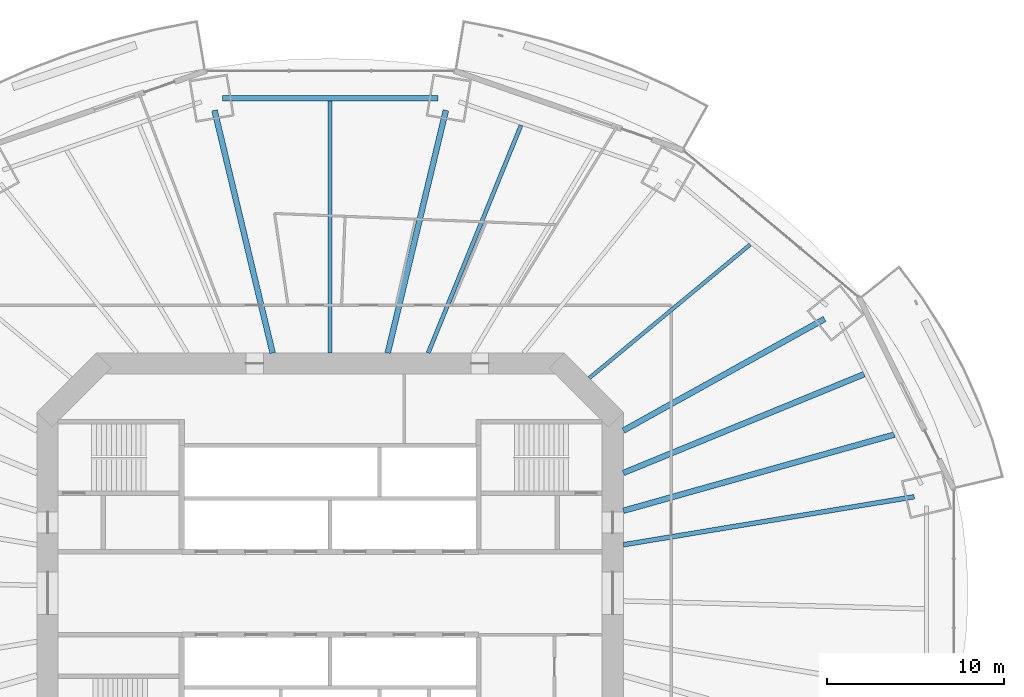
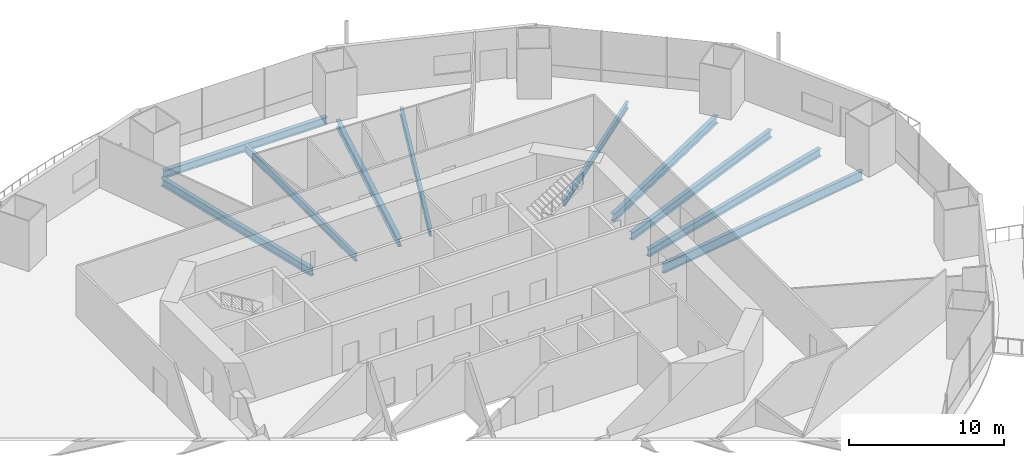
# One storey, part 8 of 23: 10 beams.
"""IFC4 building model written with IfcOpenShell, lengths in metres."""

from ifc_helpers import new_model, si_unit, direction, frame, origin, origin_2d, place, context, subcontext, project, spatial, i_section, extrude, material, material_profile, profile_set, type_object, element, save


model = new_model("IFC4")

# Units and contexts
model_context = context("Model", 3, precision=1e-05, world=origin(), true_north=direction((0.0, 1.0)))
body_context = subcontext(model_context, "Body", "Model", "MODEL_VIEW")
ifc_project = project(units=[si_unit("LENGTHUNIT", "METRE"), si_unit("AREAUNIT", "SQUARE_METRE"), si_unit("VOLUMEUNIT", "CUBIC_METRE"), si_unit("PLANEANGLEUNIT", "RADIAN"), si_unit("MASSUNIT", "GRAM", prefix="KILO")], contexts=[model_context])

# Site, building, storey
site_placement = place(None, origin())
site = spatial("IfcSite", under=ifc_project, at=site_placement, CompositionType="ELEMENT")
building_placement = place(site_placement, origin())
building = spatial("IfcBuilding", under=site, at=building_placement, Name="Marenthal Gate Tower", CompositionType="ELEMENT")
storey_placement = place(building_placement, frame((0.0, 0.0, 57.89990234375)))
storey = spatial("IfcBuildingStorey", under=building, at=storey_placement, Name="L10", CompositionType="ELEMENT", Elevation=57.89990234375)

# Beams
ifc_material_1 = material(Name="Steel S355", Category="steel")
ifc_material_profile_1 = material_profile(ifc_material_1, i_section(OverallWidth=0.2119140625, OverallDepth=0.5439453125, WebThickness=0.01318359375, FlangeThickness=0.021240234375, FilletRadius=0.0126953125, at=origin_2d()), Name="W530X123")
ifc_profile_set_1 = profile_set([ifc_material_profile_1], Name="Steel S355")
beam_type_1 = type_object("IfcBeamType", Name="W530X123 beam", PredefinedType="BEAM", material=ifc_profile_set_1)
beam_1_placement = place(storey_placement, frame((23.77783203125, 19.73876953125, -0.451904296875), z_axis=(-0.769432069778, -0.638728651304, 0.0), x_axis=(0.638728651304, -0.769432069778, 0.0)))
element("IfcBeam", 1, at=beam_1_placement, inside=storey, type_object=beam_type_1, Name="BM-L10-19", PredefinedType="BEAM", context=body_context, shape_type="SweptSolid", body=[
    extrude(i_section(OverallWidth=0.2119140625, OverallDepth=0.5439453125, WebThickness=0.01318359375, FlangeThickness=0.021240234375, FilletRadius=0.0126953125, at=origin_2d()), origin(), (0.0, 0.0, 1.0), 11.8369140625),
])
ifc_material_2 = material(Name="Steel S355", Category="steel")
ifc_material_profile_2 = material_profile(ifc_material_2, i_section(OverallWidth=0.22900390625, OverallDepth=0.612060546875, WebThickness=0.011962890625, FlangeThickness=0.01953125, FilletRadius=0.0126953125, at=origin_2d()), Name="W610X125")
ifc_profile_set_2 = profile_set([ifc_material_profile_2], Name="Steel S355")
beam_type_2 = type_object("IfcBeamType", Name="W610X125 beam", PredefinedType="BEAM", material=ifc_profile_set_2)
beam_2_placement = place(storey_placement, frame((10.805908203125, 26.491943359375, -0.48583984375), z_axis=(-0.377685635209, -0.925933885845, 0.0), x_axis=(0.925933885845, -0.377685635209, 0.0)))
element("IfcBeam", 2, at=beam_2_placement, inside=storey, type_object=beam_type_2, Name="BM-L10-21", PredefinedType="BEAM", context=body_context, shape_type="SweptSolid", body=[
    extrude(i_section(OverallWidth=0.22900390625, OverallDepth=0.612060546875, WebThickness=0.011962890625, FlangeThickness=0.01953125, FilletRadius=0.0126953125, at=origin_2d()), origin(), (0.0, 0.0, 1.0), 13.923095703125),
])
beam_3_placement = place(storey_placement, frame((0.0, 27.857666015625, -0.48583984375), z_axis=(0.0, -1.0, 0.0), x_axis=(1.0, 0.0, 0.0)))
element("IfcBeam", 3, at=beam_3_placement, inside=storey, type_object=beam_type_2, Name="BM-L10-22", PredefinedType="BEAM", context=body_context, shape_type="SweptSolid", body=[
    extrude(i_section(OverallWidth=0.22900390625, OverallDepth=0.612060546875, WebThickness=0.011962890625, FlangeThickness=0.01953125, FilletRadius=0.0126953125, at=origin_2d()), origin(), (0.0, 0.0, 1.0), 14.257568359375),
])
ifc_material_3 = material(Name="Steel S355", Category="steel")
ifc_material_profile_3 = material_profile(ifc_material_3, i_section(OverallWidth=0.324951171875, OverallDepth=0.612060546875, WebThickness=0.0126953125, FlangeThickness=0.01904296875, FilletRadius=0.0126953125, at=origin_2d()), Name="W610X155")
ifc_profile_set_3 = profile_set([ifc_material_profile_3], Name="Steel S355")
beam_type_3 = type_object("IfcBeamType", Name="W610X155 beam", PredefinedType="BEAM", material=ifc_profile_set_3)
beam_4_placement = place(storey_placement, frame((27.9873046875, 15.52392578125, -0.48583984375), z_axis=(-0.874477229212, -0.485066568204, 0.0), x_axis=(0.485066568204, -0.874477229212, 0.0)))
element("IfcBeam", 4, at=beam_4_placement, inside=storey, type_object=beam_type_3, Name="BM-L10-02", PredefinedType="BEAM", context=body_context, shape_type="SweptSolid", body=[
    extrude(i_section(OverallWidth=0.324951171875, OverallDepth=0.612060546875, WebThickness=0.0126953125, FlangeThickness=0.01904296875, FilletRadius=0.0126953125, at=origin_2d()), origin(), (0.0, 0.0, 1.0), 13.021728515625),
])
for number, where, z_axis, x_axis, name in (
    (5, (6.55029296875, 27.336181640625, -0.48583984375), (-0.233027773501, -0.972470080145, 0.0), (0.972470080145, -0.233027773501, 0.0), "BM-L10-04"),
    (6, (-6.55029296875, 27.336181640625, -0.48583984375), (0.233027773501, -0.972470080145, 0.0), (0.972470080145, 0.233027773501, 0.0), "BM-L10-05"),
):
    element("IfcBeam", number, at=place(storey_placement, frame(where, z_axis=z_axis, x_axis=x_axis)), inside=storey, type_object=beam_type_3, Name=name, PredefinedType="BEAM", context=body_context, shape_type="SweptSolid", body=[
        extrude(i_section(OverallWidth=0.324951171875, OverallDepth=0.612060546875, WebThickness=0.0126953125, FlangeThickness=0.01904296875, FilletRadius=0.0126953125, at=origin_2d()), origin(), (0.0, 0.0, 1.0), 14.125),
    ])
beam_5_placement = place(storey_placement, frame((31.93701171875, 8.977294921875, -0.48583984375), z_axis=(-0.962687377479, -0.270615988521, 0.0), x_axis=(0.270615988521, -0.962687377479, 0.0)))
element("IfcBeam", 7, at=beam_5_placement, inside=storey, type_object=beam_type_3, Name="BM-L10-17", PredefinedType="BEAM", context=body_context, shape_type="SweptSolid", body=[
    extrude(i_section(OverallWidth=0.324951171875, OverallDepth=0.612060546875, WebThickness=0.0126953125, FlangeThickness=0.01904296875, FilletRadius=0.0126953125, at=origin_2d()), origin(), (0.0, 0.0, 1.0), 15.931396484375),
])
beam_6_placement = place(storey_placement, frame((30.2294921875, 12.39892578125, -0.48583984375), z_axis=(-0.925197564596, -0.379485792178, 0.0), x_axis=(0.379485792178, -0.925197564596, 0.0)))
element("IfcBeam", 8, at=beam_6_placement, inside=storey, type_object=beam_type_3, Name="BM-L10-18", PredefinedType="BEAM", context=body_context, shape_type="SweptSolid", body=[
    extrude(i_section(OverallWidth=0.324951171875, OverallDepth=0.612060546875, WebThickness=0.0126953125, FlangeThickness=0.01904296875, FilletRadius=0.0126953125, at=origin_2d()), origin(), (0.0, 0.0, 1.0), 14.7314453125),
])
beam_7_placement = place(storey_placement, frame((6.09912109375, 28.02001953125, -0.48583984375), z_axis=(-1.0, 0.0, 0.0), x_axis=(0.0, -1.0, 0.0)))
element("IfcBeam", 9, at=beam_7_placement, inside=storey, type_object=beam_type_3, Name="BM-L10-44", PredefinedType="BEAM", context=body_context, shape_type="SweptSolid", body=[
    extrude(i_section(OverallWidth=0.324951171875, OverallDepth=0.612060546875, WebThickness=0.0126953125, FlangeThickness=0.01904296875, FilletRadius=0.0126953125, at=origin_2d()), origin(), (0.0, 0.0, 1.0), 12.1982421875),
])
ifc_material_4 = material(Name="Steel S355", Category="steel")
ifc_material_profile_4 = material_profile(ifc_material_4, i_section(OverallWidth=0.26708984375, OverallDepth=0.761962890625, WebThickness=0.014404296875, FlangeThickness=0.021484375, FilletRadius=0.0166015625, at=origin_2d()), Name="W760X173")
ifc_profile_set_4 = profile_set([ifc_material_profile_4], Name="Steel S355")
beam_type_4 = type_object("IfcBeamType", Name="W760X173 beam", PredefinedType="BEAM", material=ifc_profile_set_4)
beam_8_placement = place(storey_placement, frame((33.06005859375, 5.458984375, -0.560791015625), z_axis=(-0.986638832435, -0.16292272503, 0.0), x_axis=(0.16292272503, -0.986638832435, 0.0)))
element("IfcBeam", 10, at=beam_8_placement, inside=storey, type_object=beam_type_4, Name="BM-L10-01", PredefinedType="BEAM", context=body_context, shape_type="SweptSolid", body=[
    extrude(i_section(OverallWidth=0.26708984375, OverallDepth=0.761962890625, WebThickness=0.014404296875, FlangeThickness=0.021484375, FilletRadius=0.0166015625, at=origin_2d()), origin(), (0.0, 0.0, 1.0), 16.682861328125),
])

save(model, "model.ifc")
